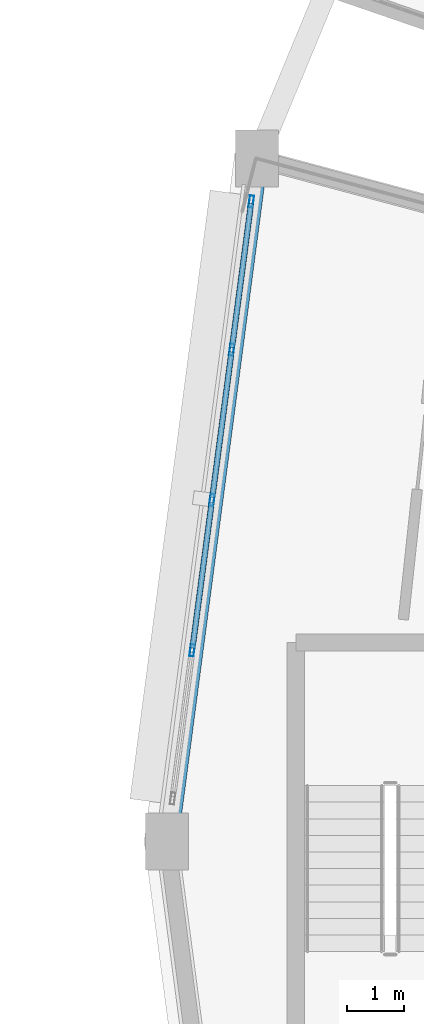
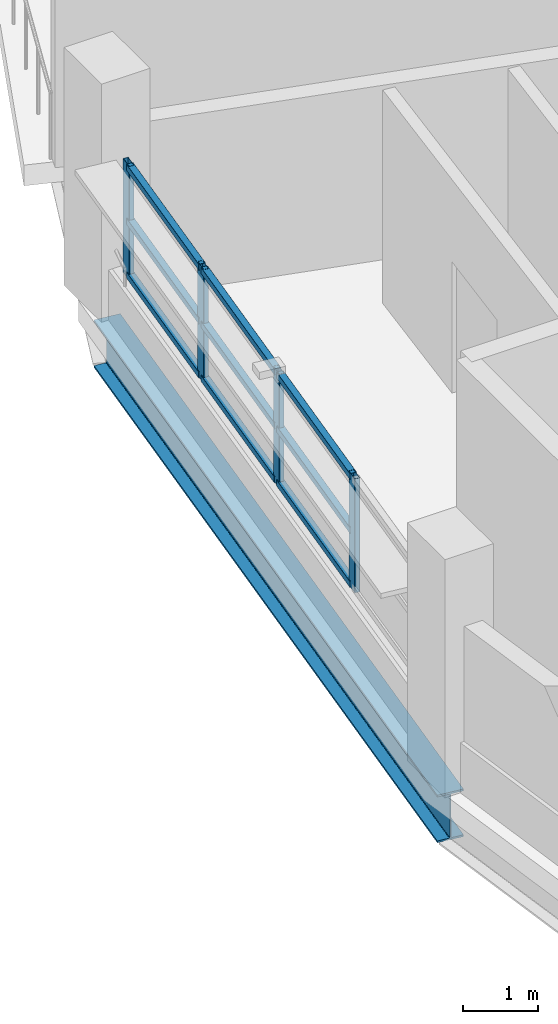
# One storey, part 37 of 121: 13 members, 1 beam, 1 element without a shape of its own.
"""IFC4 building model written with IfcOpenShell, lengths in metres."""

from ifc_helpers import new_model, si_unit, direction, frame, origin, origin_2d, place, context, subcontext, project, spatial, hollow_rectangle, i_section, extrude, material, layer, layer_set, material_profile, profile_set, type_object, element, aggregate, save


model = new_model("IFC4")

# Units and contexts
model_context = context("Model", 3, precision=1e-05, world=origin(), true_north=direction((0.0, 1.0)))
body_context = subcontext(model_context, "Body", "Model", "MODEL_VIEW")
ifc_project = project(units=[si_unit("LENGTHUNIT", "METRE"), si_unit("AREAUNIT", "SQUARE_METRE"), si_unit("VOLUMEUNIT", "CUBIC_METRE"), si_unit("PLANEANGLEUNIT", "RADIAN"), si_unit("MASSUNIT", "GRAM", prefix="KILO")], contexts=[model_context])

# Site, building, storey
site_placement = place(None, origin())
site = spatial("IfcSite", under=ifc_project, at=site_placement, CompositionType="ELEMENT")
building_placement = place(site_placement, origin())
building = spatial("IfcBuilding", under=site, at=building_placement, Name="Vespera Passage Community Centre", CompositionType="ELEMENT")
storey_placement = place(building_placement, frame((0.0, 0.0, 8.699951171875)))
storey = spatial("IfcBuildingStorey", under=building, at=storey_placement, Name="L02", CompositionType="ELEMENT", Elevation=8.699951171875)

# Beam
ifc_material_1 = material(Name="Steel ASTM A992 Grade 50", Category="steel")
ifc_material_profile_1 = material_profile(ifc_material_1, i_section(OverallWidth=0.382080078125, OverallDepth=0.779296875, WebThickness=0.01806640625, FlangeThickness=0.030029296875, FilletRadius=0.0166015625, at=origin_2d()), Name="W30X191")
ifc_profile_set_1 = profile_set([ifc_material_profile_1], Name="Steel ASTM A992 Grade 50")
beam_type = type_object("IfcBeamType", Name="BM-SP-W30X191E", PredefinedType="SPANDREL", material=ifc_profile_set_1)
beam_placement = place(storey_placement, frame((33.470703125, 77.431640625, -0.729736328125), z_axis=(-0.130523782115, -0.991445178667, 0.0), x_axis=(0.991445178667, -0.130523782115, 0.0)))
element("IfcBeam", 1, at=beam_placement, inside=storey, type_object=beam_type, Name="V4 L02 Outer Spandrel 11", PredefinedType="SPANDREL", context=body_context, shape_type="SweptSolid", body=[
    extrude(i_section(OverallWidth=0.382080078125, OverallDepth=0.779296875, WebThickness=0.01806640625, FlangeThickness=0.030029296875, FilletRadius=0.0166015625, at=origin_2d()), origin(), (0.0, 0.0, 1.0), 12.03466796875),
])

# Curtain wall, members
ifc_material_2 = material(Name="Anodized aluminium 6063-T6", Category="aluminium")
ifc_layer = layer(ifc_material_2, 0.159912109375)
ifc_layer_set = layer_set([ifc_layer], Name="Anodized aluminium 6063-T6")
curtain_wall_type = type_object("IfcCurtainWallType", Name="CW-33E", PredefinedType="NOTDEFINED", material=ifc_layer_set)
curtain_wall_placement = place(storey_placement, origin())
curtain_wall = element("IfcCurtainWall", 2, at=curtain_wall_placement, inside=storey, type_object=curtain_wall_type, Name="V4 L02 Outer Ribbon Curtain Wall 11", PredefinedType="NOTDEFINED")
ifc_material_3 = material(Name="Anodized aluminium 6063-T6", Category="aluminium")
ifc_material_profile_2 = material_profile(ifc_material_3, hollow_rectangle(XDim=0.074951171875, YDim=0.2099609375, WallThickness=0.0048828125, InnerFilletRadius=0.00244140625, OuterFilletRadius=0.0048828125, at=origin_2d()), Name="ALU210X75X5")
ifc_profile_set_2 = profile_set([ifc_material_profile_2], Name="Anodized aluminium 6063-T6")
member_type_1 = type_object("IfcMemberType", Name="MB-CWM-210E", PredefinedType="MULLION", material=ifc_profile_set_2)
member_1_placement = place(storey_placement, frame((32.339599609375, 68.839599609375, 0.820068359375), z_axis=(0.0, 0.0, 1.0), x_axis=(-0.991445298818, 0.130522869458, 0.0)))
member_1 = element("IfcMember", 3, at=member_1_placement, type_object=member_type_1, Name="CW-33E mullion 2", PredefinedType="MULLION", context=body_context, shape_type="SweptSolid", body=[
    extrude(hollow_rectangle(XDim=0.074951171875, YDim=0.2099609375, WallThickness=0.0048828125, InnerFilletRadius=0.00244140625, OuterFilletRadius=0.0048828125, at=origin_2d()), origin(), (0.0, 0.0, 1.0), 1.865478515625),
])
member_2_placement = place(storey_placement, frame((32.685302734375, 71.4658203125, 0.820068359375), z_axis=(0.0, 0.0, 1.0), x_axis=(-0.991445298818, 0.130522869458, 0.0)))
member_2 = element("IfcMember", 4, at=member_2_placement, type_object=member_type_1, Name="CW-33E mullion 3", PredefinedType="MULLION", context=body_context, shape_type="SweptSolid", body=[
    extrude(hollow_rectangle(XDim=0.074951171875, YDim=0.2099609375, WallThickness=0.0048828125, InnerFilletRadius=0.00244140625, OuterFilletRadius=0.0048828125, at=origin_2d()), origin(), (0.0, 0.0, 1.0), 1.865478515625),
])
member_3_placement = place(storey_placement, frame((33.03125, 74.092041015625, 0.820068359375), z_axis=(0.0, 0.0, 1.0), x_axis=(-0.991445298818, 0.130522869458, 0.0)))
member_3 = element("IfcMember", 5, at=member_3_placement, type_object=member_type_1, Name="CW-33E mullion 4", PredefinedType="MULLION", context=body_context, shape_type="SweptSolid", body=[
    extrude(hollow_rectangle(XDim=0.074951171875, YDim=0.2099609375, WallThickness=0.0048828125, InnerFilletRadius=0.00244140625, OuterFilletRadius=0.0048828125, at=origin_2d()), origin(), (0.0, 0.0, 1.0), 1.865478515625),
])
member_4_placement = place(storey_placement, frame((33.3720703125, 76.68115234375, 0.820068359375), z_axis=(0.0, 0.0, 1.0), x_axis=(-0.991445298818, 0.130522869458, 0.0)))
member_4 = element("IfcMember", 6, at=member_4_placement, type_object=member_type_1, Name="CW-33E mullion 5", PredefinedType="MULLION", context=body_context, shape_type="SweptSolid", body=[
    extrude(hollow_rectangle(XDim=0.074951171875, YDim=0.2099609375, WallThickness=0.0048828125, InnerFilletRadius=0.00244140625, OuterFilletRadius=0.0048828125, at=origin_2d()), origin(), (0.0, 0.0, 1.0), 1.865478515625),
])
ifc_material_4 = material(Name="Anodized aluminium 6063-T6", Category="aluminium")
ifc_material_profile_3 = material_profile(ifc_material_4, hollow_rectangle(XDim=0.10009765625, YDim=0.10009765625, WallThickness=0.00390625, InnerFilletRadius=0.001953125, OuterFilletRadius=0.00390625, at=origin_2d()), Name="ALU100X100X4")
ifc_profile_set_3 = profile_set([ifc_material_profile_3], Name="Anodized aluminium 6063-T6")
member_type_2 = type_object("IfcMemberType", Name="MB-CWT-100E", PredefinedType="USERDEFINED", material=ifc_profile_set_3)
member_5_placement = place(storey_placement, frame((32.344482421875, 68.876708984375, 0.8701171875), z_axis=(0.13051094341, 0.991446868798, 0.0), x_axis=(-0.991446868798, 0.13051094341, 0.0)))
member_5 = element("IfcMember", 7, at=member_5_placement, type_object=member_type_2, Name="CW-33E transom 2.1", ObjectType="TRANSOM", PredefinedType="USERDEFINED", context=body_context, shape_type="SweptSolid", body=[
    extrude(hollow_rectangle(XDim=0.10009765625, YDim=0.10009765625, WallThickness=0.00390625, InnerFilletRadius=0.001953125, OuterFilletRadius=0.00390625, at=origin_2d()), origin(), (0.0, 0.0, 1.0), 2.573974609375),
])
member_6_placement = place(storey_placement, frame((32.344482421875, 68.876708984375, 1.7529296875), z_axis=(0.13051094341, 0.991446868798, 0.0), x_axis=(-0.991446868798, 0.13051094341, 0.0)))
member_6 = element("IfcMember", 8, at=member_6_placement, type_object=member_type_2, Name="CW-33E transom 2.2", ObjectType="TRANSOM", PredefinedType="USERDEFINED", context=body_context, shape_type="SweptSolid", body=[
    extrude(hollow_rectangle(XDim=0.10009765625, YDim=0.10009765625, WallThickness=0.00390625, InnerFilletRadius=0.001953125, OuterFilletRadius=0.00390625, at=origin_2d()), origin(), (0.0, 0.0, 1.0), 2.573974609375),
])
member_7_placement = place(storey_placement, frame((32.344482421875, 68.876708984375, 2.6357421875), z_axis=(0.13051094341, 0.991446868798, 0.0), x_axis=(-0.991446868798, 0.13051094341, 0.0)))
member_7 = element("IfcMember", 9, at=member_7_placement, type_object=member_type_2, Name="CW-33E transom 2.3", ObjectType="TRANSOM", PredefinedType="USERDEFINED", context=body_context, shape_type="SweptSolid", body=[
    extrude(hollow_rectangle(XDim=0.10009765625, YDim=0.10009765625, WallThickness=0.00390625, InnerFilletRadius=0.001953125, OuterFilletRadius=0.00390625, at=origin_2d()), origin(), (0.0, 0.0, 1.0), 2.573974609375),
])
member_8_placement = place(storey_placement, frame((32.690185546875, 71.5029296875, 0.8701171875), z_axis=(0.130604174191, 0.991434591733, 0.0), x_axis=(-0.991434591733, 0.130604174191, 0.0)))
member_8 = element("IfcMember", 10, at=member_8_placement, type_object=member_type_2, Name="CW-33E transom 3.1", ObjectType="TRANSOM", PredefinedType="USERDEFINED", context=body_context, shape_type="SweptSolid", body=[
    extrude(hollow_rectangle(XDim=0.10009765625, YDim=0.10009765625, WallThickness=0.00390625, InnerFilletRadius=0.001953125, OuterFilletRadius=0.00390625, at=origin_2d()), origin(), (0.0, 0.0, 1.0), 2.573974609375),
])
member_9_placement = place(storey_placement, frame((32.690185546875, 71.5029296875, 1.7529296875), z_axis=(0.130604174191, 0.991434591733, 0.0), x_axis=(-0.991434591733, 0.130604174191, 0.0)))
member_9 = element("IfcMember", 11, at=member_9_placement, type_object=member_type_2, Name="CW-33E transom 3.2", ObjectType="TRANSOM", PredefinedType="USERDEFINED", context=body_context, shape_type="SweptSolid", body=[
    extrude(hollow_rectangle(XDim=0.10009765625, YDim=0.10009765625, WallThickness=0.00390625, InnerFilletRadius=0.001953125, OuterFilletRadius=0.00390625, at=origin_2d()), origin(), (0.0, 0.0, 1.0), 2.573974609375),
])
member_10_placement = place(storey_placement, frame((32.690185546875, 71.5029296875, 2.6357421875), z_axis=(0.130604174191, 0.991434591733, 0.0), x_axis=(-0.991434591733, 0.130604174191, 0.0)))
member_10 = element("IfcMember", 12, at=member_10_placement, type_object=member_type_2, Name="CW-33E transom 3.3", ObjectType="TRANSOM", PredefinedType="USERDEFINED", context=body_context, shape_type="SweptSolid", body=[
    extrude(hollow_rectangle(XDim=0.10009765625, YDim=0.10009765625, WallThickness=0.00390625, InnerFilletRadius=0.001953125, OuterFilletRadius=0.00390625, at=origin_2d()), origin(), (0.0, 0.0, 1.0), 2.573974609375),
])
member_11_placement = place(storey_placement, frame((33.0361328125, 74.12939453125, 0.8701171875), z_axis=(0.130524231271, 0.991445119536, 0.0), x_axis=(-0.991445119536, 0.130524231271, 0.0)))
member_11 = element("IfcMember", 13, at=member_11_placement, type_object=member_type_2, Name="CW-33E transom 4.1", ObjectType="TRANSOM", PredefinedType="USERDEFINED", context=body_context, shape_type="SweptSolid", body=[
    extrude(hollow_rectangle(XDim=0.10009765625, YDim=0.10009765625, WallThickness=0.00390625, InnerFilletRadius=0.001953125, OuterFilletRadius=0.00390625, at=origin_2d()), origin(), (0.0, 0.0, 1.0), 2.536376953125),
])
member_12_placement = place(storey_placement, frame((33.0361328125, 74.12939453125, 1.7529296875), z_axis=(0.130524231271, 0.991445119536, 0.0), x_axis=(-0.991445119536, 0.130524231271, 0.0)))
member_12 = element("IfcMember", 14, at=member_12_placement, type_object=member_type_2, Name="CW-33E transom 4.2", ObjectType="TRANSOM", PredefinedType="USERDEFINED", context=body_context, shape_type="SweptSolid", body=[
    extrude(hollow_rectangle(XDim=0.10009765625, YDim=0.10009765625, WallThickness=0.00390625, InnerFilletRadius=0.001953125, OuterFilletRadius=0.00390625, at=origin_2d()), origin(), (0.0, 0.0, 1.0), 2.536376953125),
])
member_13_placement = place(storey_placement, frame((33.0361328125, 74.12939453125, 2.6357421875), z_axis=(0.130524231271, 0.991445119536, 0.0), x_axis=(-0.991445119536, 0.130524231271, 0.0)))
member_13 = element("IfcMember", 15, at=member_13_placement, type_object=member_type_2, Name="CW-33E transom 4.3", ObjectType="TRANSOM", PredefinedType="USERDEFINED", context=body_context, shape_type="SweptSolid", body=[
    extrude(hollow_rectangle(XDim=0.10009765625, YDim=0.10009765625, WallThickness=0.00390625, InnerFilletRadius=0.001953125, OuterFilletRadius=0.00390625, at=origin_2d()), origin(), (0.0, 0.0, 1.0), 2.536376953125),
])
aggregate(curtain_wall, [member_1, member_2, member_3, member_4, member_5, member_6, member_7, member_8, member_9, member_10, member_11, member_12, member_13])

save(model, "model.ifc")
